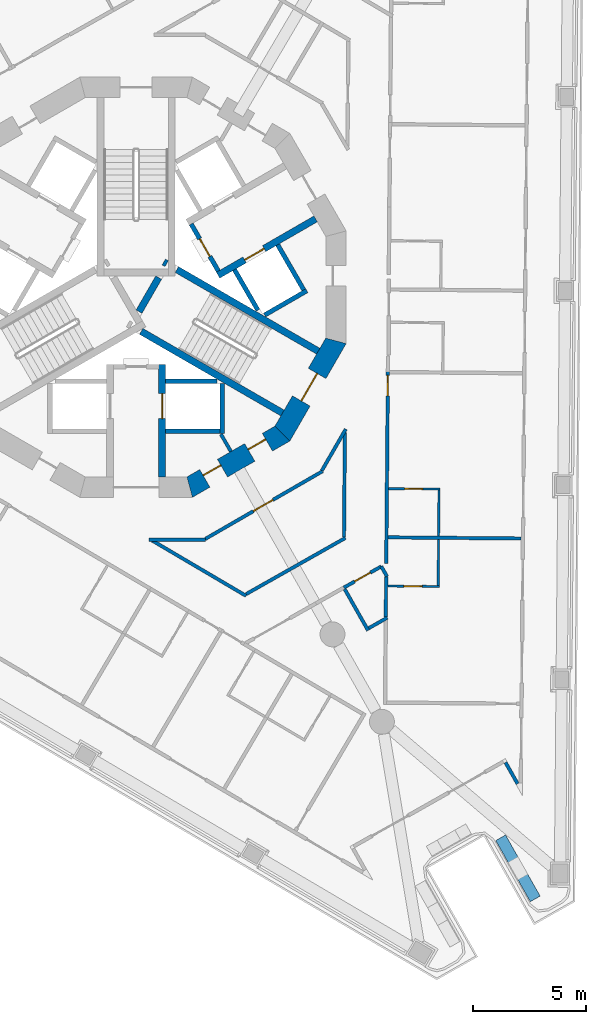
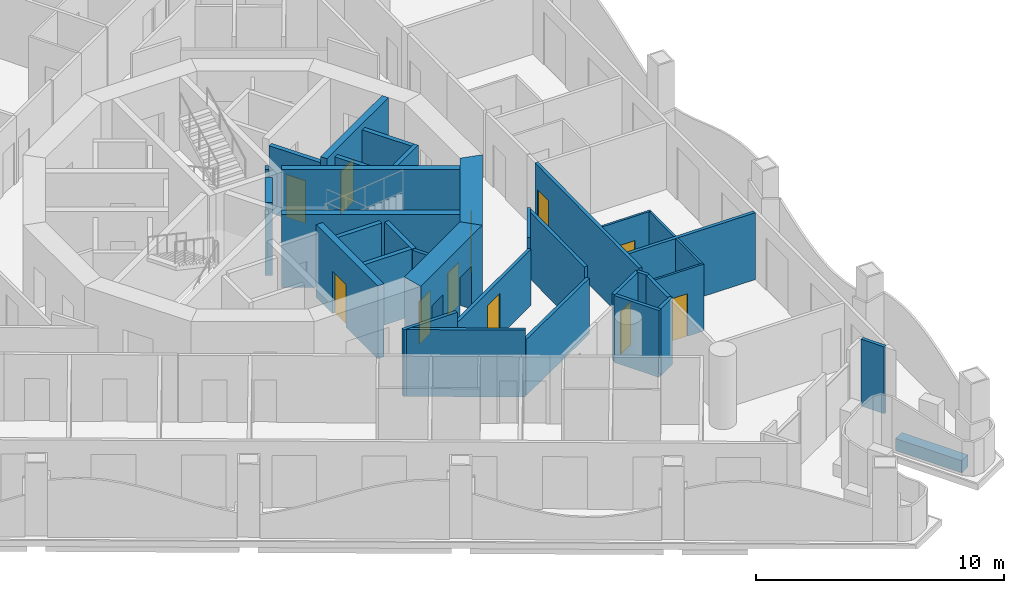
# One storey, part 5 of 17: 35 walls, 11 doors, 11 openings.
"""IFC4 building model written with IfcOpenShell, lengths in metres."""

from ifc_helpers import new_model, si_unit, direction, frame, frame_2d, origin, place, context, subcontext, project, spatial, polyline, rectangle, outline, extrude, material, layer, layer_set, type_object, element, fill, save


model = new_model("IFC4")

# Units and contexts
model_context = context("Model", 3, precision=1e-05, world=origin(), true_north=direction((0.0, 1.0)))
body_context = subcontext(model_context, "Body", "Model", "MODEL_VIEW")
ifc_project = project(units=[si_unit("LENGTHUNIT", "METRE"), si_unit("AREAUNIT", "SQUARE_METRE"), si_unit("VOLUMEUNIT", "CUBIC_METRE"), si_unit("PLANEANGLEUNIT", "RADIAN"), si_unit("MASSUNIT", "GRAM", prefix="KILO")], contexts=[model_context])

# Site, building, storey
site_placement = place(None, origin())
site = spatial("IfcSite", under=ifc_project, at=site_placement, CompositionType="ELEMENT")
building_placement = place(site_placement, origin())
building = spatial("IfcBuilding", under=site, at=building_placement, Name="Trine Commons Tower", CompositionType="ELEMENT")
storey_placement = place(building_placement, frame((0.0, 0.0, 186.300048828125)))
storey = spatial("IfcBuildingStorey", under=building, at=storey_placement, Name="L48", CompositionType="ELEMENT", Elevation=186.300048828125)

# Walls
ifc_material_1 = material(Name="Plasterboard partition on steel studs", Category="steel")
ifc_layer_1 = layer(ifc_material_1, 0.14990234375)
ifc_layer_set_1 = layer_set([ifc_layer_1], Name="Plasterboard partition on steel studs")
wall_type_1 = type_object("IfcWallType", Name="Core room partition 150 mm, EI 60", PredefinedType="PARTITIONING", material=ifc_layer_set_1)
wall_1_placement = place(storey_placement, frame((84.18603515625, 55.2490234375, 0.0), z_axis=(0.0, 0.0, 1.0), x_axis=(-0.499890179513, 0.866088799389, 0.0)))
element("IfcWall", 1, at=wall_1_placement, inside=storey, type_object=wall_type_1, Name="Core room partition L48", PredefinedType="PARTITIONING", context=body_context, shape_type="SweptSolid", body=[
    extrude(rectangle(XDim=0.882080078125, YDim=0.14990234375, at=frame_2d((0.44091796875, 0.0))), origin(), (0.0, 0.0, 1.0), 3.300048828125),
])
ifc_material_2 = material(Name="Aluminium-framed insulated wall panel", Category="aluminium")
ifc_layer_2 = layer(ifc_material_2, 0.14990234375)
ifc_layer_set_2 = layer_set([ifc_layer_2], Name="Aluminium-framed insulated wall panel")
wall_type_2 = type_object("IfcWallType", Name="Glazed frame wall 150, EI 60", PredefinedType="SOLIDWALL", material=ifc_layer_set_2)
wall_2_placement = place(storey_placement, frame((96.91552734375, 40.450927734375, 0.0), z_axis=(0.0, 0.0, 1.0), x_axis=(-0.492439994984, 0.870346397327, 0.0)))
element("IfcWall", 2, at=wall_2_placement, inside=storey, type_object=wall_type_2, Name="Glazed frame wall R9", PredefinedType="SOLIDWALL", context=body_context, shape_type="SweptSolid", body=[
    extrude(outline(polyline([(0.1494140625, 0.074951171875), (0.1494140625, -0.074951171875), (1.235107421875, -0.074951171875), (1.235107421875, 0.074951171875), (0.1494140625, 0.074951171875)])), origin(), (0.0, 0.0, 1.0), 3.300048828125),
])

# Wall, opening, door
ifc_material_3 = material(Name="Fire-rated gypsum shaft wall system")
ifc_layer_3 = layer(ifc_material_3, 0.199951171875)
ifc_layer_set_3 = layer_set([ifc_layer_3], Name="Fire-rated gypsum shaft wall system")
wall_type_3 = type_object("IfcWallType", Name="Lobby end wall 200 mm, EI 120", PredefinedType="PARTITIONING", material=ifc_layer_set_3)
wall_3_placement = place(storey_placement, frame((83.631103515625, 63.2109375, 0.0), z_axis=(0.0, 0.0, 1.0), x_axis=(-0.50012165622, 0.865955154139, 0.0)))
wall_3 = element("IfcWall", 3, at=wall_3_placement, inside=storey, type_object=wall_type_3, Name="Lobby end wall L48", PredefinedType="PARTITIONING", context=body_context, shape_type="SweptSolid", body=[
    extrude(rectangle(XDim=2.39990234375, YDim=0.199951171875, at=frame_2d((1.199951171875, 0.0))), origin(), (0.0, 0.0, 1.0), 3.300048828125),
])
opening_1_placement = place(wall_3_placement, frame((0.749755859375, 0.0, 0.0)))
opening_1 = element("IfcOpeningElement", 4, at=opening_1_placement, cuts=wall_3, Name="Opening K11.05", PredefinedType="OPENING", context=body_context, shape_type="SweptSolid", body=[
    extrude(rectangle(XDim=0.89990234375, YDim=2.10009765625, at=frame_2d((0.449951171875, 1.050048828125))), frame((0.0, 0.10986328125, 0.0), z_axis=(0.0, -1.0, 0.0), x_axis=(1.0, 0.0, 0.0)), (0.0, 0.0, 1.0), 0.219970703125),
])
ifc_material_4 = material(Name="Steel door leaf, fire-rated", Category="steel")
door_type_1 = type_object("IfcDoorType", Name="Riser access door, single leaf 900 x 2100, FD60", OperationType="SINGLE_SWING_LEFT", PredefinedType="DOOR", material=ifc_material_4)
door_1_placement = place(opening_1_placement, frame((0.89990234375, 0.0, 0.0), z_axis=(0.0, 0.0, 1.0), x_axis=(-1.0, 0.0, 0.0)))
door_1 = element("IfcDoor", 5, at=door_1_placement, inside=storey, type_object=door_type_1, Name="Riser door, Electrical riser L48", OperationType="SINGLE_SWING_LEFT", OverallHeight=2.10009765625, OverallWidth=0.89990234375, PredefinedType="DOOR", context=body_context, shape_type="SweptSolid", body=[
    extrude(rectangle(XDim=0.89990234375, YDim=2.10009765625, at=frame_2d((0.449951171875, 1.050048828125))), frame((0.0, 0.02490234375, 0.0), z_axis=(0.0, -1.0, 0.0), x_axis=(1.0, 0.0, 0.0)), (0.0, 0.0, 1.0), 0.050048828125),
])
fill(opening_1, door_1)

# Wall
ifc_material_5 = material(Name="Planter trough, precast concrete C40/50", Category="concrete")
ifc_layer_4 = layer(ifc_material_5, 0.5)
ifc_layer_set_4 = layer_set([ifc_layer_4], Name="Planter trough, precast concrete C40/50")
wall_type_4 = type_object("IfcWallType", Name="Planter trough 500x600", PredefinedType="PARAPET", material=ifc_layer_set_4)
wall_4_placement = place(storey_placement, frame((97.619384765625, 35.500732421875, 0.0), z_axis=(0.0, 0.0, 1.0), x_axis=(-0.492428288095, 0.870353020954, 0.0)))
element("IfcWall", 6, at=wall_4_placement, inside=storey, type_object=wall_type_4, Name="Planter 7", PredefinedType="PARAPET", context=body_context, shape_type="SweptSolid", body=[
    extrude(rectangle(XDim=3.10009765625, YDim=0.5, at=frame_2d((1.550048828125, 0.0))), origin(), (0.0, 0.0, 1.0), 0.599853515625),
])

# Wall, opening, door
ifc_material_6 = material(Name="Concrete C60/75", Category="concrete")
ifc_layer_5 = layer(ifc_material_6, 0.300048828125)
ifc_layer_set_5 = layer_set([ifc_layer_5], Name="Concrete C60/75")
wall_type_5 = type_object("IfcWallType", Name="RC shear wall 300 mm, C60/75", PredefinedType="SHEAR", material=ifc_layer_set_5)
wall_5_placement = place(storey_placement, frame((81.14990234375, 59.10009765625, 0.0), z_axis=(0.0, 0.0, 1.0), x_axis=(0.0, -1.0, 0.0)))
wall_5 = element("IfcWall", 7, at=wall_5_placement, inside=storey, type_object=wall_type_5, Name="Core cross wall SWB-04 L48", PredefinedType="SHEAR", context=body_context, shape_type="SweptSolid", body=[
    extrude(rectangle(XDim=4.97314453125, YDim=0.300048828125, at=frame_2d((2.486572265625, 0.0))), origin(), (0.0, 0.0, 1.0), 3.599853515625),
])
opening_2_placement = place(wall_5_placement, frame((1.300048828125, 0.0, 0.0)))
opening_2 = element("IfcOpeningElement", 8, at=opening_2_placement, cuts=wall_5, Name="Opening LD9", PredefinedType="OPENING", context=body_context, shape_type="SweptSolid", body=[
    extrude(rectangle(XDim=1.10009765625, YDim=2.10009765625, at=frame_2d((0.550048828125, 1.050048828125))), frame((0.0, 0.159912109375, 0.0), z_axis=(0.0, -1.0, 0.0), x_axis=(1.0, 0.0, 0.0)), (0.0, 0.0, 1.0), 0.320068359375),
])
ifc_material_7 = material(Name="Stainless steel sliding door leaves", Category="steel")
door_type_2 = type_object("IfcDoorType", Name="Lift landing door, centre-opening sliding 1100 x 2100, FD90", OperationType="DOUBLE_DOOR_SLIDING", PredefinedType="DOOR", material=ifc_material_7)
door_2_placement = place(opening_2_placement, origin())
door_2 = element("IfcDoor", 9, at=door_2_placement, inside=storey, type_object=door_type_2, Name="Lift landing door FF1 L48", OperationType="DOUBLE_DOOR_SLIDING", OverallHeight=2.10009765625, OverallWidth=1.10009765625, PredefinedType="DOOR", context=body_context, shape_type="SweptSolid", body=[
    extrude(rectangle(XDim=1.10009765625, YDim=2.10009765625, at=frame_2d((0.550048828125, 1.050048828125))), frame((0.0, 0.02490234375, 0.0), z_axis=(0.0, -1.0, 0.0), x_axis=(1.0, 0.0, 0.0)), (0.0, 0.0, 1.0), 0.050048828125),
])
fill(opening_2, door_2)

wall_6_placement = place(storey_placement, frame((83.618896484375, 63.031005859375, 0.0), z_axis=(0.0, 0.0, 1.0), x_axis=(0.866080953719, 0.499903772346, 0.0)))
wall_6 = element("IfcWall", 10, at=wall_6_placement, inside=storey, type_object=wall_type_5, Name="Core cross wall SWB-06 L48", PredefinedType="SHEAR", context=body_context, shape_type="SweptSolid", body=[
    extrude(rectangle(XDim=4.97314453125, YDim=0.300048828125, at=frame_2d((2.486572265625, 0.0))), origin(), (0.0, 0.0, 1.0), 3.599853515625),
])
opening_3_placement = place(wall_6_placement, frame((1.350341796875, 0.0, 0.0)))
opening_3 = element("IfcOpeningElement", 11, at=opening_3_placement, cuts=wall_6, Name="Opening LD6", PredefinedType="OPENING", context=body_context, shape_type="SweptSolid", body=[
    extrude(rectangle(XDim=1.0, YDim=2.10009765625, at=frame_2d((0.5, 1.050048828125))), frame((0.0, 0.159912109375, 0.0), z_axis=(0.0, -1.0, 0.0), x_axis=(1.0, 0.0, 0.0)), (0.0, 0.0, 1.0), 0.320068359375),
])
door_type_3 = type_object("IfcDoorType", Name="Lift landing door, centre-opening sliding 1000 x 2100, FD90", OperationType="DOUBLE_DOOR_SLIDING", PredefinedType="DOOR", material=ifc_material_7)
door_3_placement = place(opening_3_placement, origin())
door_3 = element("IfcDoor", 12, at=door_3_placement, inside=storey, type_object=door_type_3, Name="Lift landing door HR2 L48", OperationType="DOUBLE_DOOR_SLIDING", OverallHeight=2.10009765625, OverallWidth=1.0, PredefinedType="DOOR", context=body_context, shape_type="SweptSolid", body=[
    extrude(rectangle(XDim=1.0, YDim=2.10009765625, at=frame_2d((0.5, 1.050048828125))), frame((0.0, 0.02490234375, 0.0), z_axis=(0.0, -1.0, 0.0), x_axis=(1.0, 0.0, 0.0)), (0.0, 0.0, 1.0), 0.050048828125),
])
fill(opening_3, door_3)

# Walls
wall_7_placement = place(storey_placement, frame((80.1298828125, 61.424072265625, 0.0), z_axis=(0.0, 0.0, 1.0), x_axis=(0.500014901547, 0.866016800201, 0.0)))
element("IfcWall", 13, at=wall_7_placement, inside=storey, type_object=wall_type_5, Name="Core cross wall SWB-12 L48", PredefinedType="SHEAR", context=body_context, shape_type="SweptSolid", body=[
    extrude(rectangle(XDim=1.734375, YDim=0.300048828125, at=frame_2d((0.8671875, 0.0))), origin(), (0.0, 0.0, 1.0), 3.599853515625),
])
wall_8_placement = place(storey_placement, frame((80.22509765625, 60.552001953125, 0.0), z_axis=(0.0, 0.0, 1.0), x_axis=(0.866028135082, -0.499995269223, 0.0)))
element("IfcWall", 14, at=wall_8_placement, inside=storey, type_object=wall_type_5, Name="Core cross wall SWB-13 L48", PredefinedType="SHEAR", context=body_context, shape_type="SweptSolid", body=[
    extrude(rectangle(XDim=7.2041015625, YDim=0.300048828125, at=frame_2d((3.60205078125, 0.0))), origin(), (0.0, 0.0, 1.0), 3.599853515625),
])
wall_9_placement = place(storey_placement, frame((81.220947265625, 63.614013671875, 0.0), z_axis=(0.0, 0.0, 1.0), x_axis=(0.867737973955, -0.497021939713, 0.0)))
element("IfcWall", 15, at=wall_9_placement, inside=storey, type_object=wall_type_5, Name="Core cross wall SWB-15 L48", PredefinedType="SHEAR", context=body_context, shape_type="SweptSolid", body=[
    extrude(rectangle(XDim=0.14892578125, YDim=0.300048828125, at=frame_2d((0.074462890625, 0.0))), origin(), (0.0, 0.0, 1.0), 3.599853515625),
])
wall_10_placement = place(storey_placement, frame((81.800048828125, 63.280029296875, 0.0), z_axis=(0.0, 0.0, 1.0), x_axis=(0.866028135082, -0.499995269223, 0.0)))
element("IfcWall", 16, at=wall_10_placement, inside=storey, type_object=wall_type_5, Name="Core cross wall SWB-18 L48", PredefinedType="SHEAR", context=body_context, shape_type="SweptSolid", body=[
    extrude(rectangle(XDim=7.2041015625, YDim=0.300048828125, at=frame_2d((3.60205078125, 0.0))), origin(), (0.0, 0.0, 1.0), 3.599853515625),
])

# Wall, openings, doors
ifc_layer_6 = layer(ifc_material_6, 0.89990234375)
ifc_layer_set_6 = layer_set([ifc_layer_6], Name="Concrete C60/75")
wall_type_6 = type_object("IfcWallType", Name="RC shear wall 900 mm, C60/75", PredefinedType="SHEAR", material=ifc_layer_set_6)
wall_11_placement = place(storey_placement, frame((82.259765625, 53.61669921875, 0.0), z_axis=(0.0, 0.0, 1.0), x_axis=(0.866003133579, 0.500038571144, 0.0)))
wall_11 = element("IfcWall", 17, at=wall_11_placement, inside=storey, type_object=wall_type_6, Name="Core wall CWE-11 L48", PredefinedType="SHEAR", context=body_context, shape_type="SweptSolid", body=[
    extrude(outline(polyline([(0.0, -0.449951171875), (4.96923828125, -0.449951171875), (4.72802734375, 0.449951171875), (0.2412109375, 0.449951171875), (0.0, -0.449951171875)])), origin(), (0.0, 0.0, 1.0), 3.599853515625),
])
opening_4_placement = place(wall_11_placement, frame((0.89501953125, 0.0, 0.0)))
opening_4 = element("IfcOpeningElement", 18, at=opening_4_placement, cuts=wall_11, Name="Opening K11.17", PredefinedType="OPENING", context=body_context, shape_type="SweptSolid", body=[
    extrude(rectangle(XDim=0.89990234375, YDim=2.10009765625, at=frame_2d((0.449951171875, 1.050048828125))), frame((0.0, 0.4599609375, 0.0), z_axis=(0.0, -1.0, 0.0), x_axis=(1.0, 0.0, 0.0)), (0.0, 0.0, 1.0), 0.919921875),
])
opening_5_placement = place(wall_11_placement, frame((3.18408203125, 0.0, 0.0)))
opening_5 = element("IfcOpeningElement", 19, at=opening_5_placement, cuts=wall_11, Name="Opening K11.18", PredefinedType="OPENING", context=body_context, shape_type="SweptSolid", body=[
    extrude(rectangle(XDim=0.89990234375, YDim=2.10009765625, at=frame_2d((0.449951171875, 1.050048828125))), frame((0.0, 0.4599609375, 0.0), z_axis=(0.0, -1.0, 0.0), x_axis=(1.0, 0.0, 0.0)), (0.0, 0.0, 1.0), 0.919921875),
])
door_type_4 = type_object("IfcDoorType", Name="Core room door, single leaf 900 x 2100, FD30S", OperationType="SINGLE_SWING_LEFT", PredefinedType="DOOR", material=ifc_material_4)
door_4_placement = place(opening_4_placement, origin())
door_4 = element("IfcDoor", 20, at=door_4_placement, inside=storey, type_object=door_type_4, Name="Door to Parcel store L48", OperationType="SINGLE_SWING_LEFT", OverallHeight=2.10009765625, OverallWidth=0.89990234375, PredefinedType="DOOR", context=body_context, shape_type="SweptSolid", body=[
    extrude(rectangle(XDim=0.89990234375, YDim=2.10009765625, at=frame_2d((0.449951171875, 1.050048828125))), frame((0.0, 0.1748046875, 0.0), z_axis=(0.0, -1.0, 0.0), x_axis=(1.0, 0.0, 0.0)), (0.0, 0.0, 1.0), 0.050048828125),
])
fill(opening_4, door_4)
door_5_placement = place(opening_5_placement, origin())
door_5 = element("IfcDoor", 21, at=door_5_placement, inside=storey, type_object=door_type_4, Name="Door to Print room L48", OperationType="SINGLE_SWING_RIGHT", OverallHeight=2.10009765625, OverallWidth=0.89990234375, PredefinedType="DOOR", context=body_context, shape_type="SweptSolid", body=[
    extrude(rectangle(XDim=0.89990234375, YDim=2.10009765625, at=frame_2d((0.449951171875, 1.050048828125))), frame((0.0, 0.1748046875, 0.0), z_axis=(0.0, -1.0, 0.0), x_axis=(1.0, 0.0, 0.0)), (0.0, 0.0, 1.0), 0.050048828125),
])
fill(opening_5, door_5)

# Wall, opening, door
wall_12_placement = place(storey_placement, frame((86.3984375, 55.936767578125, 0.0), z_axis=(0.0, 0.0, 1.0), x_axis=(0.500038571144, 0.866003133579, 0.0)))
wall_12 = element("IfcWall", 22, at=wall_12_placement, inside=storey, type_object=wall_type_6, Name="Core wall CWE-12 L48", PredefinedType="SHEAR", context=body_context, shape_type="SweptSolid", body=[
    extrude(outline(polyline([(0.0, -0.449951171875), (4.96923828125, -0.449951171875), (4.72802734375, 0.449951171875), (0.2412109375, 0.449951171875), (0.0, -0.449951171875)])), origin(), (0.0, 0.0, 1.0), 3.599853515625),
])
opening_6_placement = place(wall_12_placement, frame((1.78466796875, 0.0, 0.0)))
opening_6 = element("IfcOpeningElement", 23, at=opening_6_placement, cuts=wall_12, Name="Opening K11.03", PredefinedType="OPENING", context=body_context, shape_type="SweptSolid", body=[
    extrude(rectangle(XDim=1.39990234375, YDim=2.10009765625, at=frame_2d((0.699951171875, 1.050048828125))), frame((0.0, 0.4599609375, 0.0), z_axis=(0.0, -1.0, 0.0), x_axis=(1.0, 0.0, 0.0)), (0.0, 0.0, 1.0), 0.919921875),
])
ifc_material_8 = material(Name="Steel door leaves, fire-rated", Category="steel")
door_type_5 = type_object("IfcDoorType", Name="Stair door, double leaf 1400 x 2100, FD90", OperationType="DOUBLE_DOOR_SINGLE_SWING", PredefinedType="DOOR", material=ifc_material_8)
door_6_placement = place(opening_6_placement, origin())
door_6 = element("IfcDoor", 24, at=door_6_placement, inside=storey, type_object=door_type_5, Name="Stair door to Exit stair ST3B L48", OperationType="DOUBLE_DOOR_SINGLE_SWING", OverallHeight=2.10009765625, OverallWidth=1.39990234375, PredefinedType="DOOR", context=body_context, shape_type="SweptSolid", body=[
    extrude(rectangle(XDim=1.39990234375, YDim=2.10009765625, at=frame_2d((0.699951171875, 1.050048828125))), frame((0.0, 0.02490234375, 0.0), z_axis=(0.0, -1.0, 0.0), x_axis=(1.0, 0.0, 0.0)), (0.0, 0.0, 1.0), 0.050048828125),
])
fill(opening_6, door_6)

# Walls
ifc_layer_7 = layer(ifc_material_3, 0.199951171875)
ifc_layer_set_7 = layer_set([ifc_layer_7], Name="Fire-rated gypsum shaft wall system")
wall_type_7 = type_object("IfcWallType", Name="Shaft wall 200 mm, EI 120", PredefinedType="PARTITIONING", material=ifc_layer_set_7)
wall_13_placement = place(storey_placement, frame((81.300048828125, 56.14990234375, 0.0), z_axis=(0.0, 0.0, 1.0), x_axis=(1.0, 0.0, 0.0)))
element("IfcWall", 25, at=wall_13_placement, inside=storey, type_object=wall_type_7, Name="Shaft wall L48", PredefinedType="PARTITIONING", context=body_context, shape_type="SweptSolid", body=[
    extrude(rectangle(XDim=2.39990234375, YDim=0.199951171875, at=frame_2d((1.199951171875, 0.0))), origin(), (0.0, 0.0, 1.0), 3.300048828125),
])
wall_14_placement = place(storey_placement, frame((81.300048828125, 58.35009765625, 0.0), z_axis=(0.0, 0.0, 1.0), x_axis=(1.0, 0.0, 0.0)))
element("IfcWall", 26, at=wall_14_placement, inside=storey, type_object=wall_type_7, Name="Shaft wall L48", PredefinedType="PARTITIONING", context=body_context, shape_type="SweptSolid", body=[
    extrude(rectangle(XDim=2.264892578125, YDim=0.199951171875, at=frame_2d((1.13232421875, 0.0))), origin(), (0.0, 0.0, 1.0), 3.300048828125),
])
wall_15_placement = place(storey_placement, frame((83.800048828125, 58.257080078125, 0.0), z_axis=(0.0, 0.0, 1.0), x_axis=(0.0, -1.0, 0.0)))
element("IfcWall", 27, at=wall_15_placement, inside=storey, type_object=wall_type_7, Name="Shaft wall L48", PredefinedType="PARTITIONING", context=body_context, shape_type="SweptSolid", body=[
    extrude(rectangle(XDim=2.20703125, YDim=0.199951171875, at=frame_2d((1.103515625, 0.0))), origin(), (0.0, 0.0, 1.0), 3.300048828125),
])
wall_16_placement = place(storey_placement, frame((84.343994140625, 63.27587890625, 0.0), z_axis=(0.0, 0.0, 1.0), x_axis=(0.500271688072, -0.86586848777, 0.0)))
element("IfcWall", 28, at=wall_16_placement, inside=storey, type_object=wall_type_7, Name="Shaft wall L48", PredefinedType="PARTITIONING", context=body_context, shape_type="SweptSolid", body=[
    extrude(rectangle(XDim=2.064697265625, YDim=0.199951171875, at=frame_2d((1.0322265625, 0.0))), origin(), (0.0, 0.0, 1.0), 3.300048828125),
])
wall_17_placement = place(storey_placement, frame((85.675048828125, 61.27392578125, 0.0), z_axis=(0.0, 0.0, 1.0), x_axis=(0.866102336459, 0.499866725018, 0.0)))
element("IfcWall", 29, at=wall_17_placement, inside=storey, type_object=wall_type_7, Name="Shaft wall L48", PredefinedType="PARTITIONING", context=body_context, shape_type="SweptSolid", body=[
    extrude(rectangle(XDim=2.1484375, YDim=0.199951171875, at=frame_2d((1.07421875, 0.0))), origin(), (0.0, 0.0, 1.0), 3.300048828125),
])
wall_18_placement = place(storey_placement, frame((86.2490234375, 64.3759765625, 0.0), z_axis=(0.0, 0.0, 1.0), x_axis=(0.500136062276, -0.86594683394, 0.0)))
element("IfcWall", 30, at=wall_18_placement, inside=storey, type_object=wall_type_7, Name="Shaft wall L48", PredefinedType="PARTITIONING", context=body_context, shape_type="SweptSolid", body=[
    extrude(rectangle(XDim=2.299072265625, YDim=0.199951171875, at=frame_2d((1.1494140625, 0.0))), origin(), (0.0, 0.0, 1.0), 3.300048828125),
])
ifc_material_9 = material(Name="Gypsum plasterboard on steel stud", Category="steel")
ifc_layer_8 = layer(ifc_material_9, 0.14990234375)
ifc_layer_set_8 = layer_set([ifc_layer_8], Name="Gypsum plasterboard on steel stud")
wall_type_8 = type_object("IfcWallType", Name="Unit and corridor wall 150 mm, EI 60", PredefinedType="PARTITIONING", material=ifc_layer_set_8)
wall_19_placement = place(storey_placement, frame((80.574951171875, 51.35205078125, 0.0), z_axis=(0.0, 0.0, 1.0), x_axis=(1.0, 0.0, 0.0)))
element("IfcWall", 31, at=wall_19_placement, inside=storey, type_object=wall_type_8, Name="Partition 057", PredefinedType="PARTITIONING", context=body_context, shape_type="SweptSolid", body=[
    extrude(rectangle(XDim=2.487060546875, YDim=0.14990234375, at=frame_2d((1.24365234375, 0.0))), origin(), (0.0, 0.0, 1.0), 3.300048828125),
])
wall_20_placement = place(storey_placement, frame((80.718505859375, 51.31396484375, 0.0), z_axis=(0.0, 0.0, 1.0), x_axis=(0.86168823453, -0.507438061711, 0.0)))
element("IfcWall", 32, at=wall_20_placement, inside=storey, type_object=wall_type_8, Name="Partition 058", PredefinedType="PARTITIONING", context=body_context, shape_type="SweptSolid", body=[
    extrude(rectangle(XDim=4.798828125, YDim=0.14990234375, at=frame_2d((2.3994140625, 0.0))), origin(), (0.0, 0.0, 1.0), 3.300048828125),
])

# Wall, opening, door
wall_21_placement = place(storey_placement, frame((83.052001953125, 51.389404296875, 0.0), z_axis=(0.0, 0.0, 1.0), x_axis=(0.866039280689, 0.499975963725, 0.0)))
wall_21 = element("IfcWall", 33, at=wall_21_placement, inside=storey, type_object=wall_type_8, Name="Partition 068", PredefinedType="PARTITIONING", context=body_context, shape_type="SweptSolid", body=[
    extrude(rectangle(XDim=5.974365234375, YDim=0.14990234375, at=frame_2d((2.9873046875, 0.0))), origin(), (0.0, 0.0, 1.0), 2.75),
])
opening_7_placement = place(wall_21_placement, frame((2.44970703125, 0.0, 0.0)))
opening_7 = element("IfcOpeningElement", 34, at=opening_7_placement, cuts=wall_21, Name="Opening D-5C29", PredefinedType="OPENING", context=body_context, shape_type="SweptSolid", body=[
    extrude(rectangle(XDim=1.0, YDim=2.10009765625, at=frame_2d((0.5, 1.050048828125))), frame((0.0, 0.0849609375, 0.0), z_axis=(0.0, -1.0, 0.0), x_axis=(1.0, 0.0, 0.0)), (0.0, 0.0, 1.0), 0.169921875),
])
ifc_material_10 = material(Name="Painted timber", Category="wood")
door_type_6 = type_object("IfcDoorType", Name="Amenity room door 1000 x 2100, NOT RATED", OperationType="NOTDEFINED", PredefinedType="DOOR", material=ifc_material_10)
door_7_placement = place(opening_7_placement, frame((1.0, 0.0, 0.0), z_axis=(0.0, 0.0, 1.0), x_axis=(-1.0, 0.0, 0.0)))
door_7 = element("IfcDoor", 35, at=door_7_placement, inside=storey, type_object=door_type_6, Name="Door D-5C29", OperationType="SINGLE_SWING_RIGHT", OverallHeight=2.10009765625, OverallWidth=1.0, PredefinedType="DOOR", context=body_context, shape_type="SweptSolid", body=[
    extrude(rectangle(XDim=1.0, YDim=2.10009765625, at=frame_2d((0.5, 1.050048828125))), frame((0.0, 0.02490234375, 0.0), z_axis=(0.0, -1.0, 0.0), x_axis=(1.0, 0.0, 0.0)), (0.0, 0.0, 1.0), 0.050048828125),
])
fill(opening_7, door_7)

# Walls
wall_22_placement = place(storey_placement, frame((84.854248046875, 48.953857421875, 0.0), z_axis=(0.0, 0.0, 1.0), x_axis=(0.870410364257, 0.492326921662, 0.0)))
element("IfcWall", 36, at=wall_22_placement, inside=storey, type_object=wall_type_8, Name="Partition 079", PredefinedType="PARTITIONING", context=body_context, shape_type="SweptSolid", body=[
    extrude(rectangle(XDim=5.041259765625, YDim=0.14990234375, at=frame_2d((2.5205078125, 0.0))), origin(), (0.0, 0.0, 1.0), 2.75),
])
wall_23_placement = place(storey_placement, frame((88.198486328125, 54.404052734375, 0.0), z_axis=(0.0, 0.0, 1.0), x_axis=(0.499882057835, 0.866093487018, 0.0)))
element("IfcWall", 37, at=wall_23_placement, inside=storey, type_object=wall_type_8, Name="Partition 094", PredefinedType="PARTITIONING", context=body_context, shape_type="SweptSolid", body=[
    extrude(rectangle(XDim=2.11865234375, YDim=0.14990234375, at=frame_2d((1.059326171875, 0.0))), origin(), (0.0, 0.0, 1.0), 3.300048828125),
])

# Wall, opening, door
wall_24_placement = place(storey_placement, frame((89.16796875, 49.239013671875, 0.0), z_axis=(0.0, 0.0, 1.0), x_axis=(0.870049645281, 0.492964111013, 0.0)))
wall_24 = element("IfcWall", 38, at=wall_24_placement, inside=storey, type_object=wall_type_8, Name="Partition 099", PredefinedType="PARTITIONING", context=body_context, shape_type="SweptSolid", body=[
    extrude(rectangle(XDim=1.90673828125, YDim=0.14990234375, at=frame_2d((0.953369140625, 0.0))), origin(), (0.0, 0.0, 1.0), 3.300048828125),
])
opening_8_placement = place(wall_24_placement, frame((0.553466796875, 0.0, 0.0)))
opening_8 = element("IfcOpeningElement", 39, at=opening_8_placement, cuts=wall_24, Name="Opening D-5C04", PredefinedType="OPENING", context=body_context, shape_type="SweptSolid", body=[
    extrude(rectangle(XDim=0.800048828125, YDim=2.10009765625, at=frame_2d((0.39990234375, 1.050048828125))), frame((0.0, 0.0849609375, 0.0), z_axis=(0.0, -1.0, 0.0), x_axis=(1.0, 0.0, 0.0)), (0.0, 0.0, 1.0), 0.169921875),
])
door_type_7 = type_object("IfcDoorType", Name="Toilet door 800 x 2100, NOT RATED", OperationType="NOTDEFINED", PredefinedType="DOOR", material=ifc_material_10)
door_8_placement = place(opening_8_placement, frame((0.800048828125, 0.0, 0.0), z_axis=(0.0, 0.0, 1.0), x_axis=(-1.0, 0.0, 0.0)))
door_8 = element("IfcDoor", 40, at=door_8_placement, inside=storey, type_object=door_type_7, Name="Door D-5C04", OperationType="SINGLE_SWING_LEFT", OverallHeight=2.10009765625, OverallWidth=0.800048828125, PredefinedType="DOOR", context=body_context, shape_type="SweptSolid", body=[
    extrude(rectangle(XDim=0.800048828125, YDim=2.10009765625, at=frame_2d((0.39990234375, 1.050048828125))), frame((0.0, 0.02490234375, 0.0), z_axis=(0.0, -1.0, 0.0), x_axis=(1.0, 0.0, 0.0)), (0.0, 0.0, 1.0), 0.050048828125),
])
fill(opening_8, door_8)

# Walls
wall_25_placement = place(storey_placement, frame((89.2080078125, 49.17578125, 0.0), z_axis=(0.0, 0.0, 1.0), x_axis=(0.492490202922, -0.870317987879, 0.0)))
element("IfcWall", 41, at=wall_25_placement, inside=storey, type_object=wall_type_8, Name="Partition 100", PredefinedType="PARTITIONING", context=body_context, shape_type="SweptSolid", body=[
    extrude(rectangle(XDim=2.099365234375, YDim=0.14990234375, at=frame_2d((1.0498046875, 0.0))), origin(), (0.0, 0.0, 1.0), 3.300048828125),
])
wall_26_placement = place(storey_placement, frame((89.177490234375, 51.47412109375, 0.0), z_axis=(0.0, 0.0, 1.0), x_axis=(0.008609896903, 0.999962934151, 0.0)))
element("IfcWall", 42, at=wall_26_placement, inside=storey, type_object=wall_type_8, Name="Partition 101", PredefinedType="PARTITIONING", context=body_context, shape_type="SweptSolid", body=[
    extrude(rectangle(XDim=4.6220703125, YDim=0.14990234375, at=frame_2d((2.31103515625, 0.0))), origin(), (0.0, 0.0, 1.0), 3.300048828125),
])
wall_27_placement = place(storey_placement, frame((90.270263671875, 47.450927734375, 0.0), z_axis=(0.0, 0.0, 1.0), x_axis=(0.870538616766, 0.492100108432, 0.0)))
element("IfcWall", 43, at=wall_27_placement, inside=storey, type_object=wall_type_8, Name="Partition 103", PredefinedType="PARTITIONING", context=body_context, shape_type="SweptSolid", body=[
    extrude(rectangle(XDim=0.938720703125, YDim=0.14990234375, at=frame_2d((0.46923828125, 0.0))), origin(), (0.0, 0.0, 1.0), 3.300048828125),
])
wall_28_placement = place(storey_placement, frame((90.823974609375, 50.177001953125, 0.0), z_axis=(0.0, 0.0, 1.0), x_axis=(0.493654600783, -0.869658056437, 0.0)))
element("IfcWall", 44, at=wall_28_placement, inside=storey, type_object=wall_type_8, Name="Partition 104", PredefinedType="PARTITIONING", context=body_context, shape_type="SweptSolid", body=[
    extrude(rectangle(XDim=0.50830078125, YDim=0.14990234375, at=frame_2d((0.254150390625, 0.0))), origin(), (0.0, 0.0, 1.0), 3.300048828125),
])
wall_29_placement = place(storey_placement, frame((91.022705078125, 47.950927734375, 0.0), z_axis=(0.0, 0.0, 1.0), x_axis=(0.008256220588, 0.99996591683, 0.0)))
element("IfcWall", 45, at=wall_29_placement, inside=storey, type_object=wall_type_8, Name="Partition 107", PredefinedType="PARTITIONING", context=body_context, shape_type="SweptSolid", body=[
    extrude(rectangle(XDim=1.774169921875, YDim=0.14990234375, at=frame_2d((0.88720703125, 0.0))), origin(), (0.0, 0.0, 1.0), 3.300048828125),
])

# Wall, opening, door
wall_30_placement = place(storey_placement, frame((91.0419921875, 50.300048828125, 0.0), z_axis=(0.0, 0.0, 1.0), x_axis=(0.008752775488, 0.999961693727, 0.0)))
wall_30 = element("IfcWall", 46, at=wall_30_placement, inside=storey, type_object=wall_type_8, Name="Partition 109", PredefinedType="PARTITIONING", context=body_context, shape_type="SweptSolid", body=[
    extrude(rectangle(XDim=8.53515625, YDim=0.14990234375, at=frame_2d((4.267578125, 0.0))), origin(), (0.0, 0.0, 1.0), 3.300048828125),
])
opening_9_placement = place(wall_30_placement, frame((7.40625, 0.0, 0.0)))
opening_9 = element("IfcOpeningElement", 47, at=opening_9_placement, cuts=wall_30, Name="Opening D-5C18", PredefinedType="OPENING", context=body_context, shape_type="SweptSolid", body=[
    extrude(rectangle(XDim=0.89990234375, YDim=2.10009765625, at=frame_2d((0.449951171875, 1.050048828125))), frame((0.0, 0.0849609375, 0.0), z_axis=(0.0, -1.0, 0.0), x_axis=(1.0, 0.0, 0.0)), (0.0, 0.0, 1.0), 0.169921875),
])
ifc_material_11 = material(Name="Timber fire door set", Category="wood")
door_type_8 = type_object("IfcDoorType", Name="Bedroom door 900 x 2100, FD30S", OperationType="NOTDEFINED", PredefinedType="DOOR", material=ifc_material_11)
door_9_placement = place(opening_9_placement, frame((0.89990234375, 0.0, 0.0), z_axis=(0.0, 0.0, 1.0), x_axis=(-1.0, 0.0, 0.0)))
door_9 = element("IfcDoor", 48, at=door_9_placement, inside=storey, type_object=door_type_8, Name="Door D-5C18", OperationType="SINGLE_SWING_LEFT", OverallHeight=2.10009765625, OverallWidth=0.89990234375, PredefinedType="DOOR", context=body_context, shape_type="SweptSolid", body=[
    extrude(rectangle(XDim=0.89990234375, YDim=2.10009765625, at=frame_2d((0.449951171875, 1.050048828125))), frame((0.0, 0.02490234375, 0.0), z_axis=(0.0, -1.0, 0.0), x_axis=(1.0, 0.0, 0.0)), (0.0, 0.0, 1.0), 0.050048828125),
])
fill(opening_9, door_9)

# Wall
wall_31_placement = place(storey_placement, frame((91.126953125, 51.460205078125, 0.0), z_axis=(0.0, 0.0, 1.0), x_axis=(0.999962273479, -0.008686289076, 0.0)))
element("IfcWall", 49, at=wall_31_placement, inside=storey, type_object=wall_type_8, Name="Partition 110", PredefinedType="PARTITIONING", context=body_context, shape_type="SweptSolid", body=[
    extrude(rectangle(XDim=5.874267578125, YDim=0.14990234375, at=frame_2d((2.93701171875, 0.0))), origin(), (0.0, 0.0, 1.0), 3.300048828125),
])

# Wall, opening, door
ifc_layer_9 = layer(ifc_material_9, 0.10009765625)
ifc_layer_set_9 = layer_set([ifc_layer_9], Name="Gypsum plasterboard on steel stud")
wall_type_9 = type_object("IfcWallType", Name="Unit partition 100 mm, no rating", PredefinedType="PARTITIONING", material=ifc_layer_set_9)
wall_32_placement = place(storey_placement, frame((91.10888671875, 49.311279296875, 0.0), z_axis=(0.0, 0.0, 1.0), x_axis=(0.999958404904, -0.009120770943, 0.0)))
wall_32 = element("IfcWall", 50, at=wall_32_placement, inside=storey, type_object=wall_type_9, Name="Partition 108", PredefinedType="PARTITIONING", context=body_context, shape_type="SweptSolid", body=[
    extrude(rectangle(XDim=2.275146484375, YDim=0.10009765625, at=frame_2d((1.1376953125, 0.0))), origin(), (0.0, 0.0, 1.0), 3.300048828125),
])
opening_10_placement = place(wall_32_placement, frame((0.71240234375, 0.0, 0.0)))
opening_10 = element("IfcOpeningElement", 51, at=opening_10_placement, cuts=wall_32, Name="Opening D-5C45", PredefinedType="OPENING", context=body_context, shape_type="SweptSolid", body=[
    extrude(rectangle(XDim=0.800048828125, YDim=2.10009765625, at=frame_2d((0.39990234375, 1.050048828125))), frame((0.0, 0.06005859375, 0.0), z_axis=(0.0, -1.0, 0.0), x_axis=(1.0, 0.0, 0.0)), (0.0, 0.0, 1.0), 0.1201171875),
])
door_type_9 = type_object("IfcDoorType", Name="Internal door 800 x 2100, NOT RATED", OperationType="NOTDEFINED", PredefinedType="DOOR", material=ifc_material_10)
door_10_placement = place(opening_10_placement, frame((0.800048828125, 0.0, 0.0), z_axis=(0.0, 0.0, 1.0), x_axis=(-1.0, 0.0, 0.0)))
door_10 = element("IfcDoor", 52, at=door_10_placement, inside=storey, type_object=door_type_9, Name="Door D-5C45", OperationType="SINGLE_SWING_RIGHT", OverallHeight=2.10009765625, OverallWidth=0.800048828125, PredefinedType="DOOR", context=body_context, shape_type="SweptSolid", body=[
    extrude(rectangle(XDim=0.800048828125, YDim=2.10009765625, at=frame_2d((0.39990234375, 1.050048828125))), frame((0.0, 0.02490234375, 0.0), z_axis=(0.0, -1.0, 0.0), x_axis=(1.0, 0.0, 0.0)), (0.0, 0.0, 1.0), 0.050048828125),
])
fill(opening_10, door_10)

wall_33_placement = place(storey_placement, frame((91.14599609375, 53.6103515625, 0.0), z_axis=(0.0, 0.0, 1.0), x_axis=(0.999962219299, -0.008692524121, 0.0)))
wall_33 = element("IfcWall", 53, at=wall_33_placement, inside=storey, type_object=wall_type_9, Name="Partition 111", PredefinedType="PARTITIONING", context=body_context, shape_type="SweptSolid", body=[
    extrude(rectangle(XDim=2.27490234375, YDim=0.10009765625, at=frame_2d((1.137451171875, 0.0))), origin(), (0.0, 0.0, 1.0), 3.300048828125),
])
opening_11_placement = place(wall_33_placement, frame((0.71240234375, 0.0, 0.0)))
opening_11 = element("IfcOpeningElement", 54, at=opening_11_placement, cuts=wall_33, Name="Opening D-5C44", PredefinedType="OPENING", context=body_context, shape_type="SweptSolid", body=[
    extrude(rectangle(XDim=0.800048828125, YDim=2.10009765625, at=frame_2d((0.39990234375, 1.050048828125))), frame((0.0, 0.06005859375, 0.0), z_axis=(0.0, -1.0, 0.0), x_axis=(1.0, 0.0, 0.0)), (0.0, 0.0, 1.0), 0.1201171875),
])
door_11_placement = place(opening_11_placement, origin())
door_11 = element("IfcDoor", 55, at=door_11_placement, inside=storey, type_object=door_type_9, Name="Door D-5C44", OperationType="SINGLE_SWING_LEFT", OverallHeight=2.10009765625, OverallWidth=0.800048828125, PredefinedType="DOOR", context=body_context, shape_type="SweptSolid", body=[
    extrude(rectangle(XDim=0.800048828125, YDim=2.10009765625, at=frame_2d((0.39990234375, 1.050048828125))), frame((0.0, 0.02490234375, 0.0), z_axis=(0.0, -1.0, 0.0), x_axis=(1.0, 0.0, 0.0)), (0.0, 0.0, 1.0), 0.050048828125),
])
fill(opening_11, door_11)

# Walls
for number, where, z_axis, x_axis, name in (
    (56, (93.33447265625, 49.341064453125, 0.0), (0.0, 0.0, 1.0), (0.008318979066, 0.999965396695, 0.0), "Partition 128"),
    (57, (93.352783203125, 51.51611328125, 0.0), (0.0, 0.0, 1.0), (0.008801202389, 0.999961268668, 0.0), "Partition 129"),
):
    element("IfcWall", number, at=place(storey_placement, frame(where, z_axis=z_axis, x_axis=x_axis)), inside=storey, type_object=wall_type_9, Name=name, PredefinedType="PARTITIONING", context=body_context, shape_type="SweptSolid", body=[
        extrude(rectangle(XDim=2.02490234375, YDim=0.10009765625, at=frame_2d((1.012451171875, 0.0))), origin(), (0.0, 0.0, 1.0), 3.300048828125),
    ])

save(model, "model.ifc")
